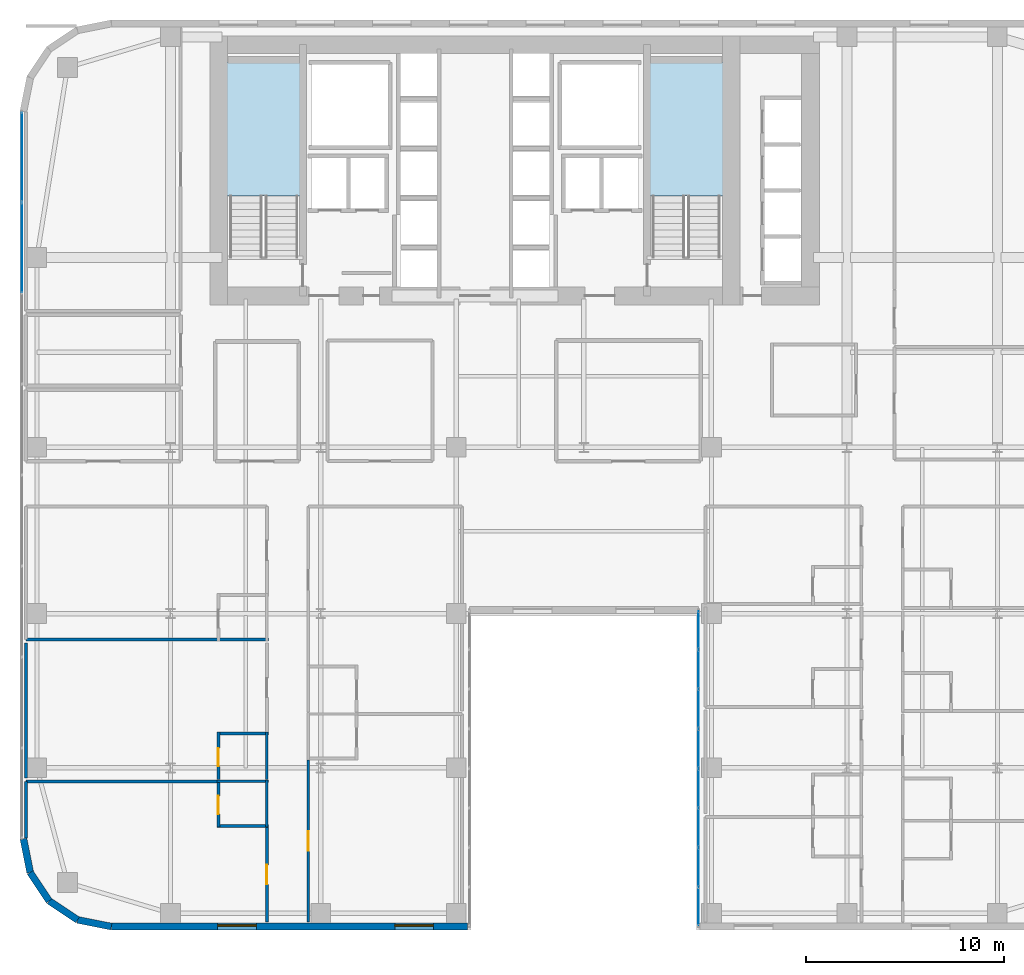
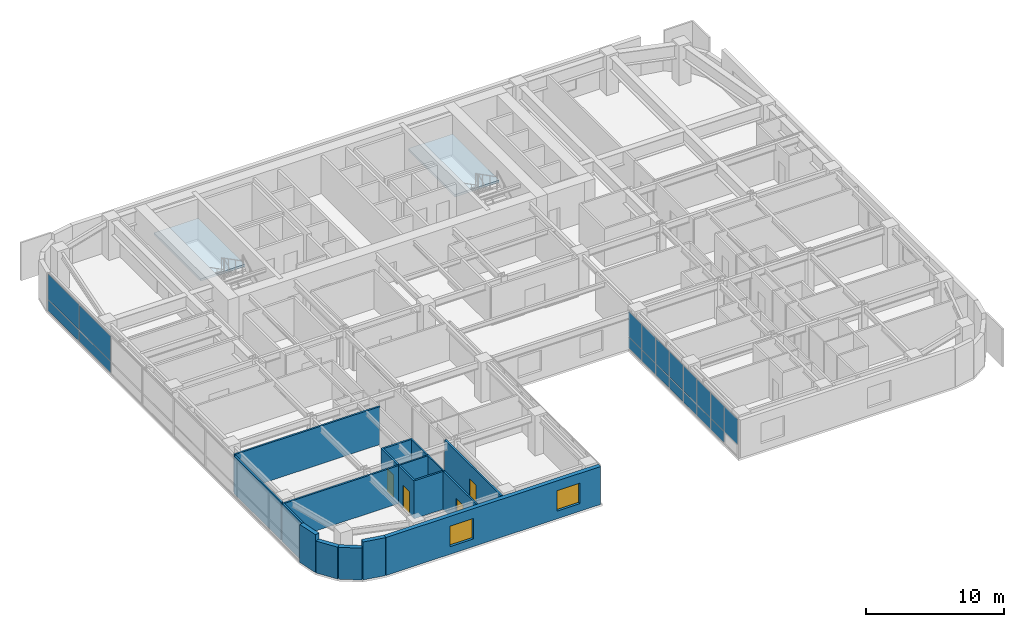
# One storey, part 23 of 30: 19 plates, 18 walls, 4 doors, 2 slabs, 2 windows, 6 openings, 4 elements without a shape of their own.
"""IFC4 building model written with IfcOpenShell, lengths in metres."""

from ifc_helpers import new_model, si_unit, direction, frame, frame_2d, origin, origin_2d, place, context, subcontext, project, spatial, polyline, rectangle, outline, extrude, source, transform, mapped, material, layer, layer_set, type_object, type_shapes, element, fill, aggregate, save


model = new_model("IFC4")

# Units and contexts
model_context = context("Model", 3, precision=1e-05, world=origin(), true_north=direction((0.0, 1.0)))
body_context = subcontext(model_context, "Body", "Model", "MODEL_VIEW")
ifc_project = project(units=[si_unit("LENGTHUNIT", "METRE"), si_unit("AREAUNIT", "SQUARE_METRE"), si_unit("VOLUMEUNIT", "CUBIC_METRE"), si_unit("PLANEANGLEUNIT", "RADIAN"), si_unit("MASSUNIT", "GRAM", prefix="KILO")], contexts=[model_context])

# Site, building, storey
site_placement = place(None, origin())
site = spatial("IfcSite", under=ifc_project, at=site_placement, CompositionType="ELEMENT")
building_placement = place(site_placement, origin())
building = spatial("IfcBuilding", under=site, at=building_placement, Name="Tolvann Quenvar Hotel", CompositionType="ELEMENT")
storey_placement = place(building_placement, frame((0.0, 0.0, 56.85009765625)))
storey = spatial("IfcBuildingStorey", under=building, at=storey_placement, Name="L13", CompositionType="ELEMENT", Elevation=56.85009765625)

# Stair, slab
ifc_material_1 = material(Name="Concrete N40 (40 MPa)", Category="concrete")
stair_type = type_object("IfcStairType", Name="STAIR", PredefinedType="HALF_TURN_STAIR", material=ifc_material_1)
stair_1_placement = place(storey_placement, origin())
stair_1 = element("IfcStair", 1, at=stair_1_placement, inside=storey, type_object=stair_type, Name="L13 ST-C1", PredefinedType="HALF_TURN_STAIR")
ifc_layer_1 = layer(ifc_material_1, 0.199951171875)
ifc_layer_set_1 = layer_set([ifc_layer_1], Name="Concrete N40 (40 MPa)")
slab_type = type_object("IfcSlabType", Name="SLAB_LANDING", PredefinedType="LANDING", material=ifc_layer_set_1)
slab_1_placement = place(storey_placement, frame((0.0, 0.0, 1.574951171875)))
slab_1 = element("IfcSlab", 2, at=slab_1_placement, type_object=slab_type, Name="ST-C1 landing 1", PredefinedType="LANDING", context=body_context, shape_type="SweptSolid", body=[
    extrude(outline(polyline([(14.179931640625, 37.10498046875), (14.179931640625, 43.8798828125), (10.469970703125, 43.8798828125), (10.469970703125, 37.10498046875), (14.179931640625, 37.10498046875)])), origin(), (0.0, 0.0, 1.0), 0.199951171875),
])
aggregate(stair_1, [slab_1])

stair_2_placement = place(storey_placement, origin())
stair_2 = element("IfcStair", 3, at=stair_2_placement, inside=storey, type_object=stair_type, Name="L13 ST-C2", PredefinedType="HALF_TURN_STAIR")
slab_2_placement = place(storey_placement, frame((0.0, 0.0, 1.574951171875)))
slab_2 = element("IfcSlab", 4, at=slab_2_placement, type_object=slab_type, Name="ST-C2 landing 1", PredefinedType="LANDING", context=body_context, shape_type="SweptSolid", body=[
    extrude(outline(polyline([(35.530029296875, 37.10498046875), (35.530029296875, 43.8798828125), (31.820068359375, 43.8798828125), (31.820068359375, 37.10498046875), (35.530029296875, 37.10498046875)])), origin(), (0.0, 0.0, 1.0), 0.199951171875),
])
aggregate(stair_2, [slab_2])

# Curtain wall, plates
ifc_material_2 = material(Name="Thermally broken anodised architectural aluminium 6063-T6 and laminated low-E glass", Category="aluminium")
ifc_layer_2 = layer(ifc_material_2, 0.179931640625)
ifc_layer_set_2 = layer_set([ifc_layer_2], Name="Thermally broken anodised architectural aluminium 6063-T6 and laminated low-E glass")
curtain_wall_type_1 = type_object("IfcCurtainWallType", Name="CW_SYS_SLOT_03", PredefinedType="USERDEFINED", material=ifc_layer_set_2)
curtain_wall_1_placement = place(storey_placement, origin())
curtain_wall_1 = element("IfcCurtainWall", 5, at=curtain_wall_1_placement, inside=storey, type_object=curtain_wall_type_1, Name="Curtain Wall CW-SLOT-03 (CWR-L13-E07)", ObjectType="UNITISED CURTAIN WALL", PredefinedType="USERDEFINED")
ifc_material_3 = material(Name="Low-iron laminated double glazing with solar-control coating", Category="glass")
ifc_layer_3 = layer(ifc_material_3, 0.028076171875)
ifc_layer_set_3 = layer_set([ifc_layer_3], Name="Low-iron laminated double glazing with solar-control coating")
plate_type = type_object("IfcPlateType", Name="CW_PAN_VISION_28", PredefinedType="CURTAIN_PANEL", material=ifc_layer_set_3)
shared_shape_1 = source(origin(), body_context, "Body", "SweptSolid", [
    extrude(rectangle(XDim=1.89501953125, YDim=0.028076171875, at=origin_2d()), origin(), (0.0, 0.0, 1.0), 0.9599609375),
])
plate_1_placement = place(storey_placement, frame((34.2900390625, 15.157470703125, 0.059814453125), z_axis=(0.0, 0.0, 1.0), x_axis=(0.0, -1.0, 0.0)))
plate_1 = element("IfcPlate", 6, at=plate_1_placement, type_object=plate_type, Name="CW-SLOT-03 panel 1.1", PredefinedType="CURTAIN_PANEL", context=body_context, shape_type="MappedRepresentation", body=[
    mapped(shared_shape_1, transform((0.0, 0.0, 0.0), x_axis=(1.0, 0.0, 0.0), y_axis=(0.0, 1.0, 0.0), z_axis=(0.0, 0.0, 1.0), scale=1.0)),
])
shared_shape_2 = source(origin(), body_context, "Body", "SweptSolid", [
    extrude(rectangle(XDim=1.89501953125, YDim=0.028076171875, at=origin_2d()), origin(), (0.0, 0.0, 1.0), 2.22998046875),
])
plate_2_placement = place(storey_placement, frame((34.2900390625, 15.157470703125, 1.079833984375), z_axis=(0.0, 0.0, 1.0), x_axis=(0.0, -1.0, 0.0)))
plate_2 = element("IfcPlate", 7, at=plate_2_placement, type_object=plate_type, Name="CW-SLOT-03 panel 1.2", PredefinedType="CURTAIN_PANEL", context=body_context, shape_type="MappedRepresentation", body=[
    mapped(shared_shape_2, transform((0.0, 0.0, 0.0), x_axis=(1.0, 0.0, 0.0), y_axis=(0.0, 1.0, 0.0), z_axis=(0.0, 0.0, 1.0), scale=1.0)),
])
plate_3_placement = place(storey_placement, frame((34.2900390625, 1.1923828125, 1.079833984375), z_axis=(0.0, 0.0, 1.0), x_axis=(0.0, -1.0, 0.0)))
plate_3 = element("IfcPlate", 8, at=plate_3_placement, type_object=plate_type, Name="CW-SLOT-03 panel 8.2", PredefinedType="CURTAIN_PANEL", context=body_context, shape_type="MappedRepresentation", body=[
    mapped(shared_shape_2, transform((0.0, 0.0, 0.0), x_axis=(1.0, 0.0, 0.0), y_axis=(0.0, 1.0, 0.0), z_axis=(0.0, 0.0, 1.0), scale=1.0)),
])
shared_shape_3 = source(origin(), body_context, "Body", "SweptSolid", [
    extrude(rectangle(XDim=1.929931640625, YDim=0.028076171875, at=origin_2d()), origin(), (0.0, 0.0, 1.0), 0.9599609375),
])
plate_4_placement = place(storey_placement, frame((34.2900390625, 13.175048828125, 0.059814453125), z_axis=(0.0, 0.0, 1.0), x_axis=(0.0, -1.0, 0.0)))
plate_4 = element("IfcPlate", 9, at=plate_4_placement, type_object=plate_type, Name="CW-SLOT-03 panel 2.1", PredefinedType="CURTAIN_PANEL", context=body_context, shape_type="MappedRepresentation", body=[
    mapped(shared_shape_3, transform((0.0, 0.0, 0.0), x_axis=(1.0, 0.0, 0.0), y_axis=(0.0, 1.0, 0.0), z_axis=(0.0, 0.0, 1.0), scale=1.0)),
])
plate_5_placement = place(storey_placement, frame((34.2900390625, 11.175048828125, 0.059814453125), z_axis=(0.0, 0.0, 1.0), x_axis=(0.0, -1.0, 0.0)))
plate_5 = element("IfcPlate", 10, at=plate_5_placement, type_object=plate_type, Name="CW-SLOT-03 panel 3.1", PredefinedType="CURTAIN_PANEL", context=body_context, shape_type="MappedRepresentation", body=[
    mapped(shared_shape_3, transform((0.0, 0.0, 0.0), x_axis=(1.0, 0.0, 0.0), y_axis=(0.0, 1.0, 0.0), z_axis=(0.0, 0.0, 1.0), scale=1.0)),
])
plate_6_placement = place(storey_placement, frame((34.2900390625, 9.175048828125, 0.059814453125), z_axis=(0.0, 0.0, 1.0), x_axis=(0.0, -1.0, 0.0)))
plate_6 = element("IfcPlate", 11, at=plate_6_placement, type_object=plate_type, Name="CW-SLOT-03 panel 4.1", PredefinedType="CURTAIN_PANEL", context=body_context, shape_type="MappedRepresentation", body=[
    mapped(shared_shape_3, transform((0.0, 0.0, 0.0), x_axis=(1.0, 0.0, 0.0), y_axis=(0.0, 1.0, 0.0), z_axis=(0.0, 0.0, 1.0), scale=1.0)),
])
plate_7_placement = place(storey_placement, frame((34.2900390625, 7.175048828125, 0.059814453125), z_axis=(0.0, 0.0, 1.0), x_axis=(0.0, -1.0, 0.0)))
plate_7 = element("IfcPlate", 12, at=plate_7_placement, type_object=plate_type, Name="CW-SLOT-03 panel 5.1", PredefinedType="CURTAIN_PANEL", context=body_context, shape_type="MappedRepresentation", body=[
    mapped(shared_shape_3, transform((0.0, 0.0, 0.0), x_axis=(1.0, 0.0, 0.0), y_axis=(0.0, 1.0, 0.0), z_axis=(0.0, 0.0, 1.0), scale=1.0)),
])
plate_8_placement = place(storey_placement, frame((34.2900390625, 5.175048828125, 0.059814453125), z_axis=(0.0, 0.0, 1.0), x_axis=(0.0, -1.0, 0.0)))
plate_8 = element("IfcPlate", 13, at=plate_8_placement, type_object=plate_type, Name="CW-SLOT-03 panel 6.1", PredefinedType="CURTAIN_PANEL", context=body_context, shape_type="MappedRepresentation", body=[
    mapped(shared_shape_3, transform((0.0, 0.0, 0.0), x_axis=(1.0, 0.0, 0.0), y_axis=(0.0, 1.0, 0.0), z_axis=(0.0, 0.0, 1.0), scale=1.0)),
])
plate_9_placement = place(storey_placement, frame((34.2900390625, 3.175048828125, 0.059814453125), z_axis=(0.0, 0.0, 1.0), x_axis=(0.0, -1.0, 0.0)))
plate_9 = element("IfcPlate", 14, at=plate_9_placement, type_object=plate_type, Name="CW-SLOT-03 panel 7.1", PredefinedType="CURTAIN_PANEL", context=body_context, shape_type="MappedRepresentation", body=[
    mapped(shared_shape_3, transform((0.0, 0.0, 0.0), x_axis=(1.0, 0.0, 0.0), y_axis=(0.0, 1.0, 0.0), z_axis=(0.0, 0.0, 1.0), scale=1.0)),
])
shared_shape_4 = source(origin(), body_context, "Body", "SweptSolid", [
    extrude(rectangle(XDim=1.929931640625, YDim=0.028076171875, at=origin_2d()), origin(), (0.0, 0.0, 1.0), 2.22998046875),
])
plate_10_placement = place(storey_placement, frame((34.2900390625, 13.175048828125, 1.079833984375), z_axis=(0.0, 0.0, 1.0), x_axis=(0.0, -1.0, 0.0)))
plate_10 = element("IfcPlate", 15, at=plate_10_placement, type_object=plate_type, Name="CW-SLOT-03 panel 2.2", PredefinedType="CURTAIN_PANEL", context=body_context, shape_type="MappedRepresentation", body=[
    mapped(shared_shape_4, transform((0.0, 0.0, 0.0), x_axis=(1.0, 0.0, 0.0), y_axis=(0.0, 1.0, 0.0), z_axis=(0.0, 0.0, 1.0), scale=1.0)),
])
plate_11_placement = place(storey_placement, frame((34.2900390625, 11.175048828125, 1.079833984375), z_axis=(0.0, 0.0, 1.0), x_axis=(0.0, -1.0, 0.0)))
plate_11 = element("IfcPlate", 16, at=plate_11_placement, type_object=plate_type, Name="CW-SLOT-03 panel 3.2", PredefinedType="CURTAIN_PANEL", context=body_context, shape_type="MappedRepresentation", body=[
    mapped(shared_shape_4, transform((0.0, 0.0, 0.0), x_axis=(1.0, 0.0, 0.0), y_axis=(0.0, 1.0, 0.0), z_axis=(0.0, 0.0, 1.0), scale=1.0)),
])
plate_12_placement = place(storey_placement, frame((34.2900390625, 9.175048828125, 1.079833984375), z_axis=(0.0, 0.0, 1.0), x_axis=(0.0, -1.0, 0.0)))
plate_12 = element("IfcPlate", 17, at=plate_12_placement, type_object=plate_type, Name="CW-SLOT-03 panel 4.2", PredefinedType="CURTAIN_PANEL", context=body_context, shape_type="MappedRepresentation", body=[
    mapped(shared_shape_4, transform((0.0, 0.0, 0.0), x_axis=(1.0, 0.0, 0.0), y_axis=(0.0, 1.0, 0.0), z_axis=(0.0, 0.0, 1.0), scale=1.0)),
])
plate_13_placement = place(storey_placement, frame((34.2900390625, 7.175048828125, 1.079833984375), z_axis=(0.0, 0.0, 1.0), x_axis=(0.0, -1.0, 0.0)))
plate_13 = element("IfcPlate", 18, at=plate_13_placement, type_object=plate_type, Name="CW-SLOT-03 panel 5.2", PredefinedType="CURTAIN_PANEL", context=body_context, shape_type="MappedRepresentation", body=[
    mapped(shared_shape_4, transform((0.0, 0.0, 0.0), x_axis=(1.0, 0.0, 0.0), y_axis=(0.0, 1.0, 0.0), z_axis=(0.0, 0.0, 1.0), scale=1.0)),
])
plate_14_placement = place(storey_placement, frame((34.2900390625, 5.175048828125, 1.079833984375), z_axis=(0.0, 0.0, 1.0), x_axis=(0.0, -1.0, 0.0)))
plate_14 = element("IfcPlate", 19, at=plate_14_placement, type_object=plate_type, Name="CW-SLOT-03 panel 6.2", PredefinedType="CURTAIN_PANEL", context=body_context, shape_type="MappedRepresentation", body=[
    mapped(shared_shape_4, transform((0.0, 0.0, 0.0), x_axis=(1.0, 0.0, 0.0), y_axis=(0.0, 1.0, 0.0), z_axis=(0.0, 0.0, 1.0), scale=1.0)),
])
plate_15_placement = place(storey_placement, frame((34.2900390625, 3.175048828125, 1.079833984375), z_axis=(0.0, 0.0, 1.0), x_axis=(0.0, -1.0, 0.0)))
plate_15 = element("IfcPlate", 20, at=plate_15_placement, type_object=plate_type, Name="CW-SLOT-03 panel 7.2", PredefinedType="CURTAIN_PANEL", context=body_context, shape_type="MappedRepresentation", body=[
    mapped(shared_shape_4, transform((0.0, 0.0, 0.0), x_axis=(1.0, 0.0, 0.0), y_axis=(0.0, 1.0, 0.0), z_axis=(0.0, 0.0, 1.0), scale=1.0)),
])
aggregate(curtain_wall_1, [plate_1, plate_2, plate_4, plate_10, plate_5, plate_11, plate_6, plate_12, plate_7, plate_13, plate_8, plate_14, plate_9, plate_15, plate_3])

ifc_layer_4 = layer(ifc_material_2, 0.179931640625)
ifc_layer_set_4 = layer_set([ifc_layer_4], Name="Thermally broken anodised architectural aluminium 6063-T6 and laminated low-E glass")
curtain_wall_type_2 = type_object("IfcCurtainWallType", Name="CW_SYS_BAND_04", PredefinedType="USERDEFINED", material=ifc_layer_set_4)
curtain_wall_2_placement = place(storey_placement, origin())
curtain_wall_2 = element("IfcCurtainWall", 21, at=curtain_wall_2_placement, inside=storey, type_object=curtain_wall_type_2, Name="Curtain Wall CW-BAND-04 (CWR-L13-E23)", ObjectType="UNITISED CURTAIN WALL", PredefinedType="USERDEFINED")
shared_shape_5 = source(origin(), body_context, "Body", "SweptSolid", [
    extrude(rectangle(XDim=4.49072265625, YDim=0.028076171875, at=origin_2d()), origin(), (0.0, 0.0, 1.0), 0.9599609375),
])
plate_16_placement = place(storey_placement, frame((0.090087890625, 39.0673828125, 0.059814453125), z_axis=(0.0, 0.0, 1.0), x_axis=(0.0, -1.0, 0.0)))
plate_16 = element("IfcPlate", 22, at=plate_16_placement, type_object=plate_type, Name="CW-BAND-04 panel 1.1", PredefinedType="CURTAIN_PANEL", context=body_context, shape_type="MappedRepresentation", body=[
    mapped(shared_shape_5, transform((0.0, 0.0, 0.0), x_axis=(1.0, 0.0, 0.0), y_axis=(0.0, 1.0, 0.0), z_axis=(0.0, 0.0, 1.0), scale=1.0)),
])
shared_shape_6 = source(origin(), body_context, "Body", "SweptSolid", [
    extrude(rectangle(XDim=4.49072265625, YDim=0.028076171875, at=origin_2d()), origin(), (0.0, 0.0, 1.0), 2.22998046875),
])
plate_17_placement = place(storey_placement, frame((0.090087890625, 39.0673828125, 1.079833984375), z_axis=(0.0, 0.0, 1.0), x_axis=(0.0, -1.0, 0.0)))
plate_17 = element("IfcPlate", 23, at=plate_17_placement, type_object=plate_type, Name="CW-BAND-04 panel 1.2", PredefinedType="CURTAIN_PANEL", context=body_context, shape_type="MappedRepresentation", body=[
    mapped(shared_shape_6, transform((0.0, 0.0, 0.0), x_axis=(1.0, 0.0, 0.0), y_axis=(0.0, 1.0, 0.0), z_axis=(0.0, 0.0, 1.0), scale=1.0)),
])
shared_shape_7 = source(origin(), body_context, "Body", "SweptSolid", [
    extrude(rectangle(XDim=4.525634765625, YDim=0.028076171875, at=origin_2d()), origin(), (0.0, 0.0, 1.0), 0.9599609375),
])
plate_18_placement = place(storey_placement, frame((0.090087890625, 34.4892578125, 0.059814453125), z_axis=(0.0, 0.0, 1.0), x_axis=(0.0, -1.0, 0.0)))
plate_18 = element("IfcPlate", 24, at=plate_18_placement, type_object=plate_type, Name="CW-BAND-04 panel 2.1", PredefinedType="CURTAIN_PANEL", context=body_context, shape_type="MappedRepresentation", body=[
    mapped(shared_shape_7, transform((0.0, 0.0, 0.0), x_axis=(1.0, 0.0, 0.0), y_axis=(0.0, 1.0, 0.0), z_axis=(0.0, 0.0, 1.0), scale=1.0)),
])
shared_shape_8 = source(origin(), body_context, "Body", "SweptSolid", [
    extrude(rectangle(XDim=4.525634765625, YDim=0.028076171875, at=origin_2d()), origin(), (0.0, 0.0, 1.0), 2.22998046875),
])
type_shapes(plate_type, [shared_shape_1, shared_shape_2, shared_shape_3, shared_shape_4, shared_shape_5, shared_shape_6, shared_shape_7, shared_shape_8])
plate_19_placement = place(storey_placement, frame((0.090087890625, 34.4892578125, 1.079833984375), z_axis=(0.0, 0.0, 1.0), x_axis=(0.0, -1.0, 0.0)))
plate_19 = element("IfcPlate", 25, at=plate_19_placement, type_object=plate_type, Name="CW-BAND-04 panel 2.2", PredefinedType="CURTAIN_PANEL", context=body_context, shape_type="MappedRepresentation", body=[
    mapped(shared_shape_8, transform((0.0, 0.0, 0.0), x_axis=(1.0, 0.0, 0.0), y_axis=(0.0, 1.0, 0.0), z_axis=(0.0, 0.0, 1.0), scale=1.0)),
])
aggregate(curtain_wall_2, [plate_16, plate_17, plate_18, plate_19])

# Walls
ifc_material_4 = material(Name="Kiln-fired red and buff architectural clay brickwork and terracotta masonry", Category="masonry")
ifc_layer_5 = layer(ifc_material_4, 0.35009765625)
ifc_layer_set_5 = layer_set([ifc_layer_5], Name="Kiln-fired red and buff architectural clay brickwork and terracotta masonry")
wall_type_1 = type_object("IfcWallType", Name="WALL_EXT_BRICK_350", PredefinedType="SOLIDWALL", material=ifc_layer_set_5)
for number, where, z_axis, x_axis, name in (
    (26, (0.514892578125, 2.907958984375, 0.0), (0.0, 0.0, 1.0), (0.55554893791, -0.831483840845, 0.0), "Exterior Chicago Brick Wall L13-E01"),
    (27, (1.473388671875, 1.473388671875, 0.0), (0.0, 0.0, 1.0), (0.831483840845, -0.55554893791, 0.0), "Exterior Chicago Brick Wall L13-E02"),
):
    element("IfcWall", number, at=place(storey_placement, frame(where, z_axis=z_axis, x_axis=x_axis)), inside=storey, type_object=wall_type_1, Name=name, PredefinedType="SOLIDWALL", context=body_context, shape_type="SweptSolid", body=[
        extrude(rectangle(XDim=1.725341796875, YDim=0.35009765625, at=frame_2d((0.86279296875, 0.0))), origin(), (0.0, 0.0, 1.0), 2.831787109375),
    ])
wall_1_placement = place(storey_placement, frame((2.907958984375, 0.514892578125, 0.0), z_axis=(0.0, 0.0, 1.0), x_axis=(0.980800971659, -0.195011420161, 0.0)))
element("IfcWall", 28, at=wall_1_placement, inside=storey, type_object=wall_type_1, Name="Exterior Chicago Brick Wall L13-E03", PredefinedType="SOLIDWALL", context=body_context, shape_type="SweptSolid", body=[
    extrude(rectangle(XDim=1.74267578125, YDim=0.35009765625, at=frame_2d((0.871337890625, 0.0))), origin(), (0.0, 0.0, 1.0), 3.369873046875),
])

# Wall, openings, windows
wall_2_placement = place(storey_placement, frame((4.6171875, 0.175048828125, 0.0), z_axis=(0.0, 0.0, 1.0), x_axis=(1.0, 0.0, 0.0)))
wall_2 = element("IfcWall", 29, at=wall_2_placement, inside=storey, type_object=wall_type_1, Name="Exterior Chicago Brick Wall L13-E04", PredefinedType="SOLIDWALL", context=body_context, shape_type="SweptSolid", body=[
    extrude(rectangle(XDim=18.0078125, YDim=0.35009765625, at=frame_2d((9.00390625, 0.0))), origin(), (0.0, 0.0, 1.0), 3.369873046875),
])
opening_1_placement = place(wall_2_placement, frame((5.3779296875, 0.0, 0.679931640625)))
opening_1 = element("IfcOpeningElement", 30, at=opening_1_placement, cuts=wall_2, Name="Opening W-10", PredefinedType="OPENING", context=body_context, shape_type="SweptSolid", body=[
    extrude(rectangle(XDim=1.949951171875, YDim=1.820068359375, at=frame_2d((0.97509765625, 0.91015625))), frame((0.0, 0.18505859375, 0.0), z_axis=(0.0, -1.0, 0.0), x_axis=(1.0, 0.0, 0.0)), (0.0, 0.0, 1.0), 0.3701171875),
])
opening_2_placement = place(wall_2_placement, frame((14.33203125, 0.0, 0.679931640625)))
opening_2 = element("IfcOpeningElement", 31, at=opening_2_placement, cuts=wall_2, Name="Opening W-10", PredefinedType="OPENING", context=body_context, shape_type="SweptSolid", body=[
    extrude(rectangle(XDim=1.949951171875, YDim=1.820068359375, at=frame_2d((0.97509765625, 0.91015625))), frame((0.0, 0.18505859375, 0.0), z_axis=(0.0, -1.0, 0.0), x_axis=(1.0, 0.0, 0.0)), (0.0, 0.0, 1.0), 0.3701171875),
])
ifc_material_5 = material(Name="Thermally broken bronze-anodised aluminium frame with double low-E glazing", Category="aluminium")
window_type = type_object("IfcWindowType", Name="WIN_CLB_1950x1850", PartitioningType="DOUBLE_PANEL_VERTICAL", PredefinedType="WINDOW", material=ifc_material_5)
shared_shape_9 = source(origin(), body_context, "Body", "SweptSolid", [
    extrude(rectangle(XDim=1.949951171875, YDim=1.820068359375, at=frame_2d((0.97509765625, 0.91015625))), frame((0.0, 0.090087890625, 0.0), z_axis=(0.0, -1.0, 0.0), x_axis=(1.0, 0.0, 0.0)), (0.0, 0.0, 1.0), 0.06005859375),
])
type_shapes(window_type, [shared_shape_9])
window_1_placement = place(opening_1_placement, origin())
window_1 = element("IfcWindow", 32, at=window_1_placement, inside=storey, type_object=window_type, Name="Chicago Window W-10 (EW-L13-E04-W01)", OverallHeight=1.820068359375, OverallWidth=1.949951171875, PartitioningType="DOUBLE_PANEL_VERTICAL", PredefinedType="WINDOW", context=body_context, shape_type="MappedRepresentation", body=[
    mapped(shared_shape_9, transform((0.0, 0.0, 0.0), x_axis=(1.0, 0.0, 0.0), y_axis=(0.0, 1.0, 0.0), z_axis=(0.0, 0.0, 1.0), scale=1.0)),
])
fill(opening_1, window_1)
window_2_placement = place(opening_2_placement, origin())
window_2 = element("IfcWindow", 33, at=window_2_placement, inside=storey, type_object=window_type, Name="Chicago Window W-10 (EW-L13-E04-W02)", OverallHeight=1.820068359375, OverallWidth=1.949951171875, PartitioningType="DOUBLE_PANEL_VERTICAL", PredefinedType="WINDOW", context=body_context, shape_type="MappedRepresentation", body=[
    mapped(shared_shape_9, transform((0.0, 0.0, 0.0), x_axis=(1.0, 0.0, 0.0), y_axis=(0.0, 1.0, 0.0), z_axis=(0.0, 0.0, 1.0), scale=1.0)),
])
fill(opening_2, window_2)

# Walls
wall_3_placement = place(storey_placement, frame((0.175048828125, 4.6171875, 0.0), z_axis=(0.0, 0.0, 1.0), x_axis=(0.195011420161, -0.980800971659, 0.0)))
element("IfcWall", 34, at=wall_3_placement, inside=storey, type_object=wall_type_1, Name="Exterior Chicago Brick Wall L13-E24", PredefinedType="SOLIDWALL", context=body_context, shape_type="SweptSolid", body=[
    extrude(rectangle(XDim=1.74267578125, YDim=0.35009765625, at=frame_2d((0.871337890625, 0.0))), origin(), (0.0, 0.0, 1.0), 3.369873046875),
])
ifc_material_6 = material(Name="Moisture-resistant acoustic plumbing wall assembly")
ifc_layer_6 = layer(ifc_material_6, 0.1201171875)
ifc_layer_set_6 = layer_set([ifc_layer_6], Name="Moisture-resistant acoustic plumbing wall assembly")
wall_type_2 = type_object("IfcWallType", Name="WALL_PART_BATH_120", PredefinedType="PLUMBINGWALL", material=ifc_layer_set_6)
wall_4_placement = place(storey_placement, frame((9.9599609375, 7.52001953125, 0.0), z_axis=(0.0, 0.0, 1.0), x_axis=(1.0, 0.0, 0.0)))
element("IfcWall", 35, at=wall_4_placement, inside=storey, type_object=wall_type_2, Name="Non-Rated Plumbing Partition PT-SPC-L13-ENS-WO01-N", PredefinedType="PLUMBINGWALL", context=body_context, shape_type="SweptSolid", body=[
    extrude(rectangle(XDim=2.590087890625, YDim=0.1201171875, at=frame_2d((1.294921875, 0.0))), origin(), (0.0, 0.0, 1.0), 3.369873046875),
])
wall_5_placement = place(storey_placement, frame((12.47998046875, 5.199951171875, 0.0), z_axis=(0.0, 0.0, 1.0), x_axis=(0.0, 1.0, 0.0)))
element("IfcWall", 36, at=wall_5_placement, inside=storey, type_object=wall_type_2, Name="Non-Rated Plumbing Partition PT-SPC-L13-ENS-WO01-E", PredefinedType="PLUMBINGWALL", context=body_context, shape_type="SweptSolid", body=[
    extrude(rectangle(XDim=2.39013671875, YDim=0.1201171875, at=frame_2d((1.195068359375, 0.0))), origin(), (0.0, 0.0, 1.0), 3.369873046875),
])
wall_6_placement = place(storey_placement, frame((12.47998046875, 7.610107421875, 0.0), z_axis=(0.0, 0.0, 1.0), x_axis=(0.0, 1.0, 0.0)))
element("IfcWall", 37, at=wall_6_placement, inside=storey, type_object=wall_type_2, Name="Non-Rated Plumbing Partition PT-SPC-L13-ENS-WO02-E", PredefinedType="PLUMBINGWALL", context=body_context, shape_type="SweptSolid", body=[
    extrude(rectangle(XDim=2.389892578125, YDim=0.1201171875, at=frame_2d((1.19482421875, 0.0))), origin(), (0.0, 0.0, 1.0), 3.369873046875),
])

# Wall, opening, door
ifc_material_7 = material(Name="Acoustic twin-stud fire-rated gypsum plasterboard partition")
ifc_layer_7 = layer(ifc_material_7, 0.14990234375)
ifc_layer_set_7 = layer_set([ifc_layer_7], Name="Acoustic twin-stud fire-rated gypsum plasterboard partition")
wall_type_3 = type_object("IfcWallType", Name="WALL_PART_SUITE_150", PredefinedType="PARTITIONING", material=ifc_layer_set_7)
wall_7_placement = place(storey_placement, frame((10.030029296875, 5.199951171875, 0.0), z_axis=(0.0, 0.0, 1.0), x_axis=(0.0, 1.0, 0.0)))
wall_7 = element("IfcWall", 38, at=wall_7_placement, inside=storey, type_object=wall_type_3, Name="Interior Partition PT-SPC-L13-ENS-WO01-ENT", PredefinedType="PARTITIONING", context=body_context, shape_type="SweptSolid", body=[
    extrude(rectangle(XDim=2.39013671875, YDim=0.14990234375, at=frame_2d((1.195068359375, 0.0))), origin(), (0.0, 0.0, 1.0), 3.369873046875),
])
opening_3_placement = place(wall_7_placement, frame((0.6650390625, 0.0, 0.0)))
opening_3 = element("IfcOpeningElement", 39, at=opening_3_placement, cuts=wall_7, Name="Opening WD-01", PredefinedType="OPENING", context=body_context, shape_type="SweptSolid", body=[
    extrude(rectangle(XDim=0.919921875, YDim=2.010009765625, at=frame_2d((0.4599609375, 1.0048828125))), frame((0.0, 0.0849609375, 0.0), z_axis=(0.0, -1.0, 0.0), x_axis=(1.0, 0.0, 0.0)), (0.0, 0.0, 1.0), 0.169921875),
])
ifc_material_8 = material(Name="Solid-core American oak acoustic fire door leaf in steel frame", Category="steel")
door_type_1 = type_object("IfcDoorType", Name="DOOR_WC_920", OperationType="NOTDEFINED", PredefinedType="DOOR", material=ifc_material_8)
shared_shape_10 = source(origin(), body_context, "Body", "SweptSolid", [
    extrude(rectangle(XDim=0.919921875, YDim=2.010009765625, at=frame_2d((0.4599609375, 1.0048828125))), frame((0.0, 0.02490234375, 0.0), z_axis=(0.0, -1.0, 0.0), x_axis=(1.0, 0.0, 0.0)), (0.0, 0.0, 1.0), 0.050048828125),
])
type_shapes(door_type_1, [shared_shape_10])
door_1_placement = place(opening_3_placement, origin())
door_1 = element("IfcDoor", 40, at=door_1_placement, inside=storey, type_object=door_type_1, Name="Interior Door DOOR-SPC-L13-ENS-WO01", OperationType="SINGLE_SWING_RIGHT", OverallHeight=2.010009765625, OverallWidth=0.919921875, PredefinedType="DOOR", context=body_context, shape_type="MappedRepresentation", body=[
    mapped(shared_shape_10, transform((0.0, 0.0, 0.0), x_axis=(1.0, 0.0, 0.0), y_axis=(0.0, 1.0, 0.0), z_axis=(0.0, 0.0, 1.0), scale=1.0)),
])
fill(opening_3, door_1)

# Wall
wall_8_placement = place(storey_placement, frame((9.9599609375, 5.27001953125, 0.0), z_axis=(0.0, 0.0, 1.0), x_axis=(1.0, 0.0, 0.0)))
element("IfcWall", 41, at=wall_8_placement, inside=storey, type_object=wall_type_3, Name="Interior Partition PT-SPC-L13-ENS-WO01-S", PredefinedType="PARTITIONING", context=body_context, shape_type="SweptSolid", body=[
    extrude(rectangle(XDim=2.590087890625, YDim=0.14990234375, at=frame_2d((1.294921875, 0.0))), origin(), (0.0, 0.0, 1.0), 3.369873046875),
])

# Wall, opening, door
wall_9_placement = place(storey_placement, frame((10.030029296875, 7.610107421875, 0.0), z_axis=(0.0, 0.0, 1.0), x_axis=(0.0, 1.0, 0.0)))
wall_9 = element("IfcWall", 42, at=wall_9_placement, inside=storey, type_object=wall_type_3, Name="Interior Partition PT-SPC-L13-ENS-WO02-ENT", PredefinedType="PARTITIONING", context=body_context, shape_type="SweptSolid", body=[
    extrude(rectangle(XDim=2.389892578125, YDim=0.14990234375, at=frame_2d((1.19482421875, 0.0))), origin(), (0.0, 0.0, 1.0), 3.369873046875),
])
opening_4_placement = place(wall_9_placement, frame((0.6650390625, 0.0, 0.0)))
opening_4 = element("IfcOpeningElement", 43, at=opening_4_placement, cuts=wall_9, Name="Opening WD-01", PredefinedType="OPENING", context=body_context, shape_type="SweptSolid", body=[
    extrude(rectangle(XDim=0.919921875, YDim=2.010009765625, at=frame_2d((0.4599609375, 1.0048828125))), frame((0.0, 0.0849609375, 0.0), z_axis=(0.0, -1.0, 0.0), x_axis=(1.0, 0.0, 0.0)), (0.0, 0.0, 1.0), 0.169921875),
])
door_2_placement = place(opening_4_placement, origin())
door_2 = element("IfcDoor", 44, at=door_2_placement, inside=storey, type_object=door_type_1, Name="Interior Door DOOR-SPC-L13-ENS-WO02", OperationType="SINGLE_SWING_LEFT", OverallHeight=2.010009765625, OverallWidth=0.919921875, PredefinedType="DOOR", context=body_context, shape_type="MappedRepresentation", body=[
    mapped(shared_shape_10, transform((0.0, 0.0, 0.0), x_axis=(1.0, 0.0, 0.0), y_axis=(0.0, 1.0, 0.0), z_axis=(0.0, 0.0, 1.0), scale=1.0)),
])
fill(opening_4, door_2)

# Walls
wall_10_placement = place(storey_placement, frame((9.9599609375, 9.929931640625, 0.0), z_axis=(0.0, 0.0, 1.0), x_axis=(1.0, 0.0, 0.0)))
element("IfcWall", 45, at=wall_10_placement, inside=storey, type_object=wall_type_3, Name="Interior Partition PT-SPC-L13-ENS-WO02-N", PredefinedType="PARTITIONING", context=body_context, shape_type="SweptSolid", body=[
    extrude(rectangle(XDim=2.590087890625, YDim=0.14990234375, at=frame_2d((1.294921875, 0.0))), origin(), (0.0, 0.0, 1.0), 3.369873046875),
])
wall_11_placement = place(storey_placement, frame((0.300048828125, 14.679931640625, 0.0), z_axis=(0.0, 0.0, 1.0), x_axis=(1.0, 0.0, 0.0)))
element("IfcWall", 46, at=wall_11_placement, inside=storey, type_object=wall_type_3, Name="Interior Partition PT-SPC-L13-ENS-WO03-S", PredefinedType="PARTITIONING", context=body_context, shape_type="SweptSolid", body=[
    extrude(rectangle(XDim=12.25, YDim=0.14990234375, at=frame_2d((6.125, 0.0))), origin(), (0.0, 0.0, 1.0), 3.369873046875),
])

# Wall, opening, door
wall_12_placement = place(storey_placement, frame((12.47998046875, 0.405029296875, 0.0), z_axis=(0.0, 0.0, 1.0), x_axis=(0.0, 1.0, 0.0)))
wall_12 = element("IfcWall", 47, at=wall_12_placement, inside=storey, type_object=wall_type_3, Name="Interior Partition PT-SPC-L13-RM-WO01-ENT", PredefinedType="PARTITIONING", context=body_context, shape_type="SweptSolid", body=[
    extrude(rectangle(XDim=4.784912109375, YDim=0.14990234375, at=frame_2d((2.392578125, 0.0))), origin(), (0.0, 0.0, 1.0), 3.369873046875),
])
opening_5_placement = place(wall_12_placement, frame((1.909912109375, 0.0, 0.0)))
opening_5 = element("IfcOpeningElement", 48, at=opening_5_placement, cuts=wall_12, Name="Opening SD-01", PredefinedType="OPENING", context=body_context, shape_type="SweptSolid", body=[
    extrude(rectangle(XDim=0.97998046875, YDim=2.1201171875, at=frame_2d((0.489990234375, 1.06005859375))), frame((0.0, 0.0849609375, 0.0), z_axis=(0.0, -1.0, 0.0), x_axis=(1.0, 0.0, 0.0)), (0.0, 0.0, 1.0), 0.169921875),
])
door_type_2 = type_object("IfcDoorType", Name="DOOR_SUITE_980", OperationType="NOTDEFINED", PredefinedType="DOOR", material=ifc_material_8)
shared_shape_11 = source(origin(), body_context, "Body", "SweptSolid", [
    extrude(rectangle(XDim=0.97998046875, YDim=2.1201171875, at=frame_2d((0.489990234375, 1.06005859375))), frame((0.0, 0.02490234375, 0.0), z_axis=(0.0, -1.0, 0.0), x_axis=(1.0, 0.0, 0.0)), (0.0, 0.0, 1.0), 0.050048828125),
])
type_shapes(door_type_2, [shared_shape_11])
door_3_placement = place(opening_5_placement, origin())
door_3 = element("IfcDoor", 49, at=door_3_placement, inside=storey, type_object=door_type_2, Name="Interior Door DOOR-SPC-L13-RM-WO01", OperationType="SINGLE_SWING_LEFT", OverallHeight=2.1201171875, OverallWidth=0.97998046875, PredefinedType="DOOR", context=body_context, shape_type="MappedRepresentation", body=[
    mapped(shared_shape_11, transform((0.0, 0.0, 0.0), x_axis=(1.0, 0.0, 0.0), y_axis=(0.0, 1.0, 0.0), z_axis=(0.0, 0.0, 1.0), scale=1.0)),
])
fill(opening_5, door_3)

# Walls
wall_13_placement = place(storey_placement, frame((0.300048828125, 7.52001953125, 0.0), z_axis=(0.0, 0.0, 1.0), x_axis=(1.0, 0.0, 0.0)))
element("IfcWall", 50, at=wall_13_placement, inside=storey, type_object=wall_type_3, Name="Interior Partition PT-SPC-L13-RM-WO01-E5", PredefinedType="PARTITIONING", context=body_context, shape_type="SweptSolid", body=[
    extrude(rectangle(XDim=9.7099609375, YDim=0.14990234375, at=frame_2d((4.85498046875, 0.0))), origin(), (0.0, 0.0, 1.0), 3.369873046875),
])
wall_14_placement = place(storey_placement, frame((0.300048828125, 4.64208984375, 0.0), z_axis=(0.0, 0.0, 1.0), x_axis=(0.0, 1.0, 0.0)))
element("IfcWall", 51, at=wall_14_placement, inside=storey, type_object=wall_type_3, Name="Interior Partition PT-SPC-L13-RM-WO01-E6", PredefinedType="PARTITIONING", context=body_context, shape_type="SweptSolid", body=[
    extrude(rectangle(XDim=2.8779296875, YDim=0.14990234375, at=frame_2d((1.43896484375, 0.0))), origin(), (0.0, 0.0, 1.0), 3.369873046875),
])
wall_15_placement = place(storey_placement, frame((0.300048828125, 7.679931640625, 0.0), z_axis=(0.0, 0.0, 1.0), x_axis=(0.0, 1.0, 0.0)))
element("IfcWall", 52, at=wall_15_placement, inside=storey, type_object=wall_type_3, Name="Interior Partition PT-SPC-L13-RM-WO02-E6", PredefinedType="PARTITIONING", context=body_context, shape_type="SweptSolid", body=[
    extrude(rectangle(XDim=6.840087890625, YDim=0.14990234375, at=frame_2d((3.419921875, 0.0))), origin(), (0.0, 0.0, 1.0), 3.369873046875),
])

# Wall, opening, door
wall_16_placement = place(storey_placement, frame((14.570068359375, 0.405029296875, 0.0), z_axis=(0.0, 0.0, 1.0), x_axis=(0.0, 1.0, 0.0)))
wall_16 = element("IfcWall", 53, at=wall_16_placement, inside=storey, type_object=wall_type_3, Name="Interior Partition PT-SPC-L13-RM-WI01-ENT", PredefinedType="PARTITIONING", context=body_context, shape_type="SweptSolid", body=[
    extrude(rectangle(XDim=8.18505859375, YDim=0.14990234375, at=frame_2d((4.092529296875, 0.0))), origin(), (0.0, 0.0, 1.0), 3.369873046875),
])
opening_6_placement = place(wall_16_placement, frame((3.610107421875, 0.0, 0.0)))
opening_6 = element("IfcOpeningElement", 54, at=opening_6_placement, cuts=wall_16, Name="Opening SD-01", PredefinedType="OPENING", context=body_context, shape_type="SweptSolid", body=[
    extrude(rectangle(XDim=0.97998046875, YDim=2.1201171875, at=frame_2d((0.489990234375, 1.06005859375))), frame((0.0, 0.0849609375, 0.0), z_axis=(0.0, -1.0, 0.0), x_axis=(1.0, 0.0, 0.0)), (0.0, 0.0, 1.0), 0.169921875),
])
door_4_placement = place(opening_6_placement, origin())
door_4 = element("IfcDoor", 55, at=door_4_placement, inside=storey, type_object=door_type_2, Name="Interior Door DOOR-SPC-L13-RM-WI01", OperationType="SINGLE_SWING_RIGHT", OverallHeight=2.1201171875, OverallWidth=0.97998046875, PredefinedType="DOOR", context=body_context, shape_type="MappedRepresentation", body=[
    mapped(shared_shape_11, transform((0.0, 0.0, 0.0), x_axis=(1.0, 0.0, 0.0), y_axis=(0.0, 1.0, 0.0), z_axis=(0.0, 0.0, 1.0), scale=1.0)),
])
fill(opening_6, door_4)

save(model, "model.ifc")
